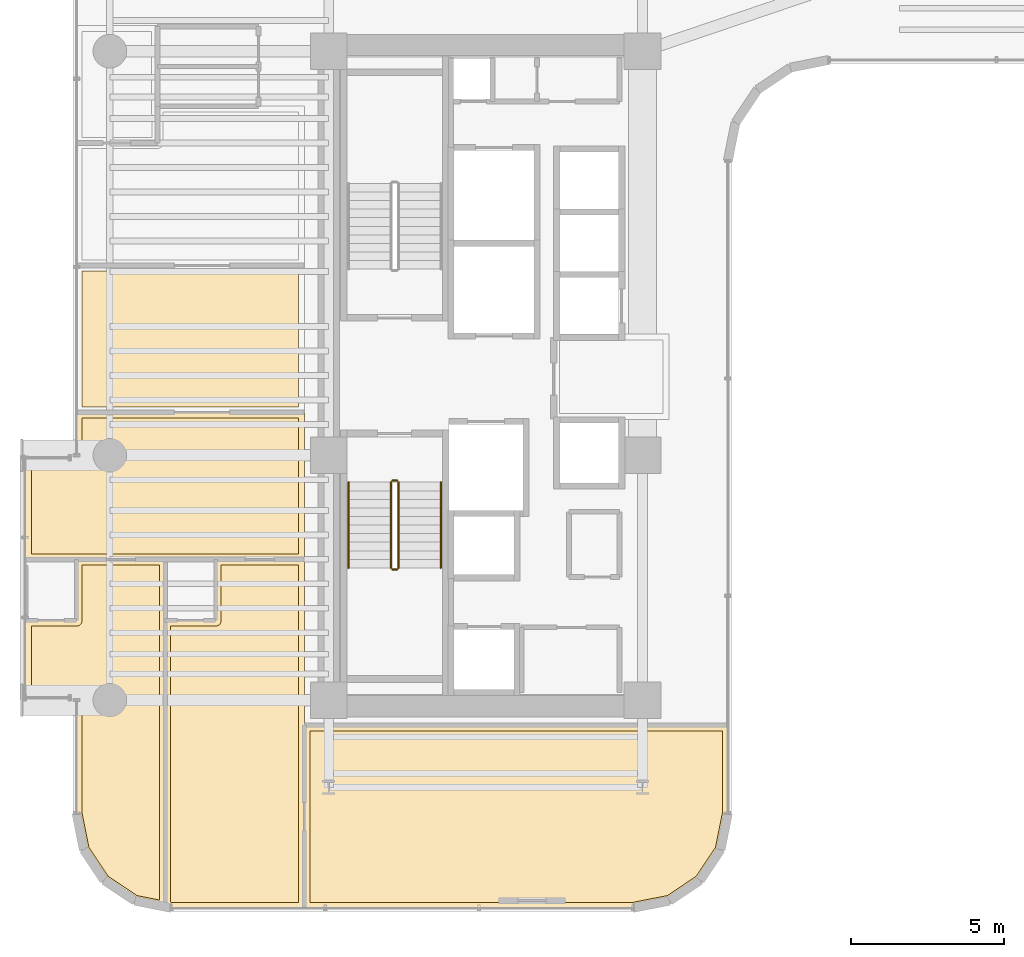
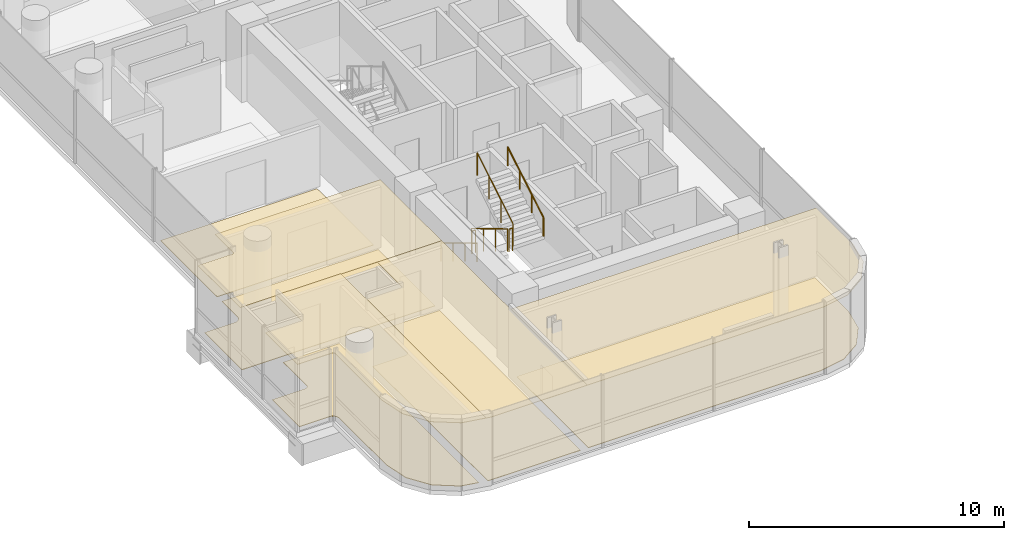
# One storey, part 33 of 37: 9 coverings, 6 railings.
"""IFC4 building model written with IfcOpenShell, lengths in metres."""

from ifc_helpers import new_model, si_unit, direction, frame, origin, origin_2d, place, context, subcontext, project, spatial, polyline, circle, outline, extrude, material, layer, layer_set, type_object, element, save


model = new_model("IFC4")

# Units and contexts
model_context = context("Model", 3, precision=1e-05, world=origin(), true_north=direction((0.0, 1.0)))
body_context = subcontext(model_context, "Body", "Model", "MODEL_VIEW")
ifc_project = project(units=[si_unit("LENGTHUNIT", "METRE"), si_unit("AREAUNIT", "SQUARE_METRE"), si_unit("VOLUMEUNIT", "CUBIC_METRE"), si_unit("PLANEANGLEUNIT", "RADIAN"), si_unit("MASSUNIT", "GRAM", prefix="KILO")], contexts=[model_context])

# Site, building, storey
site_placement = place(None, origin())
site = spatial("IfcSite", under=ifc_project, at=site_placement, CompositionType="ELEMENT")
building_placement = place(site_placement, origin())
building = spatial("IfcBuilding", under=site, at=building_placement, Name="Valdorenza Pilgrim Sanctuary Tower", CompositionType="ELEMENT")
storey_placement = place(building_placement, frame((0.0, 0.0, 135.300048828125)))
storey = spatial("IfcBuildingStorey", under=building, at=storey_placement, Name="L34", CompositionType="ELEMENT", Elevation=135.300048828125)

# Coverings
ifc_material_1 = material(Name="Micro-perforated acoustic mineral ceiling tile", Category="gypsum")
ifc_layer_1 = layer(ifc_material_1, 0.02490234375, Name="Micro-perforated acoustic mineral ceiling tile")
ifc_layer_set_1 = layer_set([ifc_layer_1], Name="Micro-perforated acoustic mineral ceiling tile")
covering_type_1 = type_object("IfcCoveringType", Name="COV-CLG-ACU", PredefinedType="CEILING", material=ifc_layer_set_1)
covering_1_placement = place(storey_placement, frame((0.0, 0.0, 3.159912109375)))
element("IfcCovering", 1, at=covering_1_placement, inside=storey, type_object=covering_type_1, Name="L34 Pilgrim Guest Room L34-CS1A Acoustic Ceiling", PredefinedType="CEILING", context=body_context, shape_type="SweptSolid", body=[
    extrude(outline(polyline([(-30.903076171875, -7.987060546875), (-30.903076171875, -6.0), (-30.90283203125, -5.99853515625), (-30.902587890625, -5.9970703125), (-30.90234375, -5.99560546875), (-30.90185546875, -5.994384765625), (-30.901123046875, -5.992919921875), (-30.900390625, -5.99169921875), (-30.899658203125, -5.990478515625), (-30.898681640625, -5.989501953125), (-30.8974609375, -5.98828125), (-30.896240234375, -5.987548828125), (-30.89501953125, -5.98681640625), (-30.893798828125, -5.986083984375), (-30.892333984375, -5.985595703125), (-30.890869140625, -5.9853515625), (-30.889404296875, -5.985107421875), (-30.887939453125, -5.985107421875), (-27.9951171875, -5.985107421875), (-27.993408203125, -5.985107421875), (-27.9921875, -5.9853515625), (-27.990478515625, -5.985595703125), (-27.9892578125, -5.986083984375), (-27.98779296875, -5.98681640625), (-27.98681640625, -5.987548828125), (-27.985595703125, -5.98828125), (-27.984375, -5.989501953125), (-27.9833984375, -5.990478515625), (-27.982421875, -5.99169921875), (-27.981689453125, -5.992919921875), (-27.981201171875, -5.994384765625), (-27.980712890625, -5.99560546875), (-27.980224609375, -5.9970703125), (-27.97998046875, -5.99853515625), (-27.97998046875, -6.0), (-27.97998046875, -17.34912109375), (-27.97998046875, -17.3505859375), (-27.980224609375, -17.35205078125), (-27.980712890625, -17.353515625), (-27.981201171875, -17.354736328125), (-27.981689453125, -17.356201171875), (-27.982421875, -17.357421875), (-27.9833984375, -17.358642578125), (-27.984375, -17.359619140625), (-27.985595703125, -17.360595703125), (-27.98681640625, -17.361572265625), (-27.98779296875, -17.3623046875), (-27.9892578125, -17.36279296875), (-27.990478515625, -17.36328125), (-27.9921875, -17.36376953125), (-27.993408203125, -17.364013671875), (-27.9951171875, -17.364013671875), (-27.99658203125, -17.364013671875), (-27.997802734375, -17.36376953125), (-28.984619140625, -17.16748046875), (-28.986083984375, -17.1669921875), (-28.9873046875, -17.16650390625), (-28.98876953125, -17.166015625), (-28.989990234375, -17.165283203125), (-29.99169921875, -16.495849609375), (-29.992919921875, -16.4951171875), (-29.993896484375, -16.493896484375), (-29.9951171875, -16.492919921875), (-29.995849609375, -16.49169921875), (-30.665283203125, -15.489990234375), (-30.666015625, -15.48876953125), (-30.66650390625, -15.4873046875), (-30.6669921875, -15.486083984375), (-30.66748046875, -15.484619140625), (-30.90478515625, -14.2919921875), (-30.90478515625, -14.29052734375), (-30.905029296875, -14.289306640625), (-30.905029296875, -10.600341796875), (-30.905517578125, -10.5908203125), (-30.90673828125, -10.58154296875), (-30.9091796875, -10.572509765625), (-30.912109375, -10.563720703125), (-30.916259765625, -10.55517578125), (-30.9208984375, -10.547119140625), (-30.926513671875, -10.539794921875), (-30.932861328125, -10.53271484375), (-30.939697265625, -10.526611328125), (-30.947265625, -10.52099609375), (-30.955078125, -10.51611328125), (-30.963623046875, -10.51220703125), (-30.972412109375, -10.509033203125), (-30.9814453125, -10.5068359375), (-30.99072265625, -10.505615234375), (-31.00048828125, -10.5048828125), (-32.5400390625, -10.5048828125), (-32.54150390625, -10.5048828125), (-32.54296875, -10.504638671875), (-32.54443359375, -10.50439453125), (-32.545654296875, -10.50390625), (-32.547119140625, -10.503173828125), (-32.54833984375, -10.50244140625), (-32.549560546875, -10.501708984375), (-32.550537109375, -10.50048828125), (-32.551513671875, -10.49951171875), (-32.552490234375, -10.498291015625), (-32.55322265625, -10.4970703125), (-32.553955078125, -10.49560546875), (-32.554443359375, -10.494384765625), (-32.5546875, -10.492919921875), (-32.554931640625, -10.491455078125), (-32.554931640625, -10.489990234375), (-32.554931640625, -8.001953125), (-32.554931640625, -8.00048828125), (-32.5546875, -7.9990234375), (-32.554443359375, -7.99755859375), (-32.553955078125, -7.996337890625), (-32.55322265625, -7.994873046875), (-32.552490234375, -7.99365234375), (-32.551513671875, -7.992431640625), (-32.550537109375, -7.991455078125), (-32.549560546875, -7.990478515625), (-32.54833984375, -7.989501953125), (-32.547119140625, -7.98876953125), (-32.545654296875, -7.988037109375), (-32.54443359375, -7.987548828125), (-32.54296875, -7.9873046875), (-32.54150390625, -7.987060546875), (-32.5400390625, -7.987060546875), (-30.903076171875, -7.987060546875)])), origin(), (0.0, 0.0, 1.0), 0.025146484375),
])
covering_2_placement = place(storey_placement, frame((0.0, 0.0, 3.159912109375)))
element("IfcCovering", 2, at=covering_2_placement, inside=storey, type_object=covering_type_1, Name="L34 Pilgrim Guest Room L34-CS1B Acoustic Ceiling", PredefinedType="CEILING", context=body_context, shape_type="SweptSolid", body=[
    extrude(outline(polyline([(-28.008056640625, -17.348388671875), (-28.008056640625, -8.001953125), (-28.0078125, -8.00048828125), (-28.0078125, -7.9990234375), (-28.00732421875, -7.99755859375), (-28.0068359375, -7.996337890625), (-28.006103515625, -7.994873046875), (-28.005615234375, -7.99365234375), (-28.004638671875, -7.992431640625), (-28.003662109375, -7.991455078125), (-28.00244140625, -7.990478515625), (-28.001220703125, -7.989501953125), (-28.0, -7.98876953125), (-27.998779296875, -7.988037109375), (-27.997314453125, -7.987548828125), (-27.995849609375, -7.9873046875), (-27.994384765625, -7.987060546875), (-27.992919921875, -7.987060546875), (-26.35791015625, -7.987060546875), (-26.35791015625, -6.0), (-26.35791015625, -5.99853515625), (-26.357666015625, -5.9970703125), (-26.357421875, -5.99560546875), (-26.35693359375, -5.994384765625), (-26.356201171875, -5.992919921875), (-26.35546875, -5.99169921875), (-26.3544921875, -5.990478515625), (-26.353515625, -5.989501953125), (-26.3525390625, -5.98828125), (-26.351318359375, -5.987548828125), (-26.35009765625, -5.98681640625), (-26.3486328125, -5.986083984375), (-26.347412109375, -5.985595703125), (-26.345947265625, -5.9853515625), (-26.344482421875, -5.985107421875), (-26.343017578125, -5.985107421875), (-23.449951171875, -5.985107421875), (-23.448486328125, -5.985107421875), (-23.447021484375, -5.9853515625), (-23.445556640625, -5.985595703125), (-23.4443359375, -5.986083984375), (-23.44287109375, -5.98681640625), (-23.441650390625, -5.987548828125), (-23.4404296875, -5.98828125), (-23.439453125, -5.989501953125), (-23.4384765625, -5.990478515625), (-23.4375, -5.99169921875), (-23.436767578125, -5.992919921875), (-23.43603515625, -5.994384765625), (-23.435546875, -5.99560546875), (-23.435302734375, -5.9970703125), (-23.43505859375, -5.99853515625), (-23.43505859375, -6.0), (-23.43505859375, -17.389892578125), (-23.43505859375, -17.3916015625), (-23.435302734375, -17.392822265625), (-23.435546875, -17.394287109375), (-23.43603515625, -17.395751953125), (-23.436767578125, -17.397216796875), (-23.4375, -17.398193359375), (-23.4384765625, -17.3994140625), (-23.439453125, -17.400634765625), (-23.4404296875, -17.401611328125), (-23.441650390625, -17.402587890625), (-23.44287109375, -17.4033203125), (-23.4443359375, -17.40380859375), (-23.445556640625, -17.404296875), (-23.447021484375, -17.40478515625), (-23.448486328125, -17.40478515625), (-23.449951171875, -17.405029296875), (-27.789306640625, -17.405029296875), (-27.79052734375, -17.40478515625), (-27.7919921875, -17.40478515625), (-27.99609375, -17.3642578125), (-27.997314453125, -17.36376953125), (-27.998779296875, -17.36328125), (-28.000244140625, -17.362548828125), (-28.00146484375, -17.36181640625), (-28.002685546875, -17.36083984375), (-28.00390625, -17.35986328125), (-28.0048828125, -17.358642578125), (-28.005615234375, -17.357421875), (-28.006591796875, -17.356201171875), (-28.007080078125, -17.354736328125), (-28.007568359375, -17.353271484375), (-28.0078125, -17.351806640625), (-28.008056640625, -17.350341796875), (-28.008056640625, -17.348876953125), (-28.008056640625, -17.348388671875)])), origin(), (0.0, 0.0, 1.0), 0.025146484375),
])
covering_3_placement = place(storey_placement, frame((0.0, 0.0, 3.159912109375)))
element("IfcCovering", 3, at=covering_3_placement, inside=storey, type_object=covering_type_1, Name="L34 South Contemplation Salon L34 Acoustic Ceiling", PredefinedType="CEILING", context=body_context, shape_type="SweptSolid", body=[
    extrude(outline(polyline([(-30.891845703125, -6.012939453125), (-32.5400390625, -6.012939453125), (-32.54150390625, -6.012939453125), (-32.54296875, -6.0126953125), (-32.54443359375, -6.012451171875), (-32.545654296875, -6.011962890625), (-32.547119140625, -6.01123046875), (-32.54833984375, -6.010498046875), (-32.549560546875, -6.009521484375), (-32.550537109375, -6.008544921875), (-32.551513671875, -6.007568359375), (-32.552490234375, -6.00634765625), (-32.55322265625, -6.005126953125), (-32.553955078125, -6.003662109375), (-32.554443359375, -6.00244140625), (-32.5546875, -6.0009765625), (-32.554931640625, -5.99951171875), (-32.554931640625, -5.998046875), (-32.554931640625, -2.7099609375), (-32.554931640625, -2.70849609375), (-32.5546875, -2.70703125), (-32.554443359375, -2.70556640625), (-32.553955078125, -2.704345703125), (-32.55322265625, -2.702880859375), (-32.552490234375, -2.70166015625), (-32.551513671875, -2.700439453125), (-32.550537109375, -2.699462890625), (-32.549560546875, -2.698486328125), (-32.54833984375, -2.697509765625), (-32.547119140625, -2.69677734375), (-32.545654296875, -2.696044921875), (-32.54443359375, -2.695556640625), (-32.54296875, -2.6953125), (-32.54150390625, -2.695068359375), (-32.5400390625, -2.695068359375), (-31.00048828125, -2.695068359375), (-30.99072265625, -2.694580078125), (-30.9814453125, -2.693115234375), (-30.972412109375, -2.69091796875), (-30.963623046875, -2.687744140625), (-30.955078125, -2.683837890625), (-30.947265625, -2.678955078125), (-30.939697265625, -2.67333984375), (-30.932861328125, -2.667236328125), (-30.926513671875, -2.660400390625), (-30.9208984375, -2.65283203125), (-30.916259765625, -2.644775390625), (-30.912109375, -2.63623046875), (-30.9091796875, -2.627685546875), (-30.90673828125, -2.618408203125), (-30.905517578125, -2.609375), (-30.905029296875, -2.599609375), (-30.905029296875, -1.199951171875), (-30.90478515625, -1.198486328125), (-30.90478515625, -1.197021484375), (-30.904296875, -1.195556640625), (-30.90380859375, -1.1943359375), (-30.9033203125, -1.19287109375), (-30.902587890625, -1.191650390625), (-30.901611328125, -1.1904296875), (-30.900634765625, -1.189453125), (-30.8994140625, -1.1884765625), (-30.898193359375, -1.1875), (-30.897216796875, -1.186767578125), (-30.895751953125, -1.18603515625), (-30.894287109375, -1.185546875), (-30.892822265625, -1.185302734375), (-30.8916015625, -1.18505859375), (-30.889892578125, -1.18505859375), (-23.449951171875, -1.18505859375), (-23.448486328125, -1.18505859375), (-23.447021484375, -1.185302734375), (-23.445556640625, -1.185546875), (-23.4443359375, -1.18603515625), (-23.44287109375, -1.186767578125), (-23.441650390625, -1.1875), (-23.4404296875, -1.1884765625), (-23.439453125, -1.189453125), (-23.4384765625, -1.1904296875), (-23.4375, -1.191650390625), (-23.436767578125, -1.19287109375), (-23.43603515625, -1.1943359375), (-23.435546875, -1.195556640625), (-23.435302734375, -1.197021484375), (-23.43505859375, -1.198486328125), (-23.43505859375, -1.199951171875), (-23.43505859375, -5.998046875), (-23.43505859375, -5.99951171875), (-23.435302734375, -6.0009765625), (-23.435546875, -6.00244140625), (-23.43603515625, -6.003662109375), (-23.436767578125, -6.005126953125), (-23.4375, -6.00634765625), (-23.4384765625, -6.007568359375), (-23.439453125, -6.008544921875), (-23.4404296875, -6.009521484375), (-23.441650390625, -6.010498046875), (-23.44287109375, -6.01123046875), (-23.4443359375, -6.011962890625), (-23.445556640625, -6.012451171875), (-23.447021484375, -6.0126953125), (-23.448486328125, -6.012939453125), (-23.449951171875, -6.012939453125), (-26.34130859375, -6.012939453125), (-26.341796875, -6.01318359375), (-26.343505859375, -6.01318359375), (-26.344970703125, -6.01318359375), (-26.346435546875, -6.01318359375), (-26.3466796875, -6.012939453125), (-27.9912109375, -6.012939453125), (-27.991943359375, -6.01318359375), (-27.993408203125, -6.01318359375), (-27.9951171875, -6.01318359375), (-27.99658203125, -6.01318359375), (-27.996826171875, -6.012939453125), (-30.88623046875, -6.012939453125), (-30.886962890625, -6.01318359375), (-30.888427734375, -6.01318359375), (-30.889892578125, -6.01318359375), (-30.8916015625, -6.01318359375), (-30.891845703125, -6.012939453125)])), origin(), (0.0, 0.0, 1.0), 0.025146484375),
])
covering_4_placement = place(storey_placement, frame((0.0, 0.0, 3.159912109375)))
element("IfcCovering", 4, at=covering_4_placement, inside=storey, type_object=covering_type_1, Name="L34 Sacred Archive Reading Library L34-S Acoustic Ceiling", PredefinedType="CEILING", context=body_context, shape_type="SweptSolid", body=[
    extrude(outline(polyline([(-9.610107421875, -11.405029296875), (-9.6083984375, -11.405029296875), (-9.607177734375, -11.4052734375), (-9.605712890625, -11.405517578125), (-9.604248046875, -11.406005859375), (-9.602783203125, -11.40673828125), (-9.601806640625, -11.407470703125), (-9.6005859375, -11.408447265625), (-9.599365234375, -11.409423828125), (-9.598388671875, -11.410400390625), (-9.597412109375, -11.41162109375), (-9.5966796875, -11.412841796875), (-9.59619140625, -11.414306640625), (-9.595703125, -11.41552734375), (-9.59521484375, -11.4169921875), (-9.59521484375, -11.41845703125), (-9.594970703125, -11.419921875), (-9.594970703125, -14.289306640625), (-9.59521484375, -14.29052734375), (-9.59521484375, -14.2919921875), (-9.83251953125, -15.484619140625), (-9.8330078125, -15.486083984375), (-9.83349609375, -15.4873046875), (-9.833984375, -15.48876953125), (-9.834716796875, -15.489990234375), (-10.504150390625, -16.49169921875), (-10.5048828125, -16.492919921875), (-10.506103515625, -16.493896484375), (-10.507080078125, -16.4951171875), (-10.50830078125, -16.495849609375), (-11.510009765625, -17.165283203125), (-11.51123046875, -17.166015625), (-11.5126953125, -17.16650390625), (-11.513916015625, -17.1669921875), (-11.515380859375, -17.16748046875), (-12.7080078125, -17.40478515625), (-12.70947265625, -17.40478515625), (-12.710693359375, -17.405029296875), (-23.447998046875, -17.405029296875), (-23.449462890625, -17.40478515625), (-23.450927734375, -17.40478515625), (-23.452392578125, -17.404296875), (-23.45361328125, -17.40380859375), (-23.455078125, -17.4033203125), (-23.456298828125, -17.402587890625), (-23.45751953125, -17.401611328125), (-23.45849609375, -17.400634765625), (-23.459716796875, -17.3994140625), (-23.46044921875, -17.398193359375), (-23.461181640625, -17.397216796875), (-23.4619140625, -17.395751953125), (-23.46240234375, -17.394287109375), (-23.462646484375, -17.392822265625), (-23.462890625, -17.3916015625), (-23.462890625, -17.389892578125), (-23.462890625, -11.419921875), (-23.462890625, -11.41845703125), (-23.462646484375, -11.4169921875), (-23.46240234375, -11.41552734375), (-23.4619140625, -11.414306640625), (-23.461181640625, -11.412841796875), (-23.46044921875, -11.41162109375), (-23.459716796875, -11.410400390625), (-23.45849609375, -11.409423828125), (-23.45751953125, -11.408447265625), (-23.456298828125, -11.407470703125), (-23.455078125, -11.40673828125), (-23.45361328125, -11.406005859375), (-23.452392578125, -11.405517578125), (-23.450927734375, -11.4052734375), (-23.449462890625, -11.405029296875), (-23.447998046875, -11.405029296875), (-9.610107421875, -11.405029296875)])), origin(), (0.0, 0.0, 1.0), 0.025146484375),
])
ifc_material_2 = material(Name="Engineered European oak timber flooring", Category="wood")
ifc_layer_2 = layer(ifc_material_2, 0.02197265625, Name="Engineered European oak timber flooring")
ifc_layer_set_2 = layer_set([ifc_layer_2], Name="Engineered European oak timber flooring")
covering_type_2 = type_object("IfcCoveringType", Name="COV-FLR-OAK", PredefinedType="FLOORING", material=ifc_layer_set_2)
covering_5_placement = place(storey_placement, origin())
element("IfcCovering", 5, at=covering_5_placement, inside=storey, type_object=covering_type_2, Name="L34 Pilgrim Guest Room L34-CS1A Flooring", PredefinedType="FLOORING", context=body_context, shape_type="SweptSolid", body=[
    extrude(outline(polyline([(-28.911376953125, -16.983154296875), (-29.853515625, -16.353515625), (-30.483154296875, -15.411376953125), (-30.7099609375, -14.271484375), (-30.7099609375, -10.60009765625), (-30.710205078125, -10.59130859375), (-30.710693359375, -10.580322265625), (-30.71240234375, -10.562744140625), (-30.714111328125, -10.552001953125), (-30.717529296875, -10.534912109375), (-30.72021484375, -10.5244140625), (-30.725341796875, -10.50732421875), (-30.72900390625, -10.497314453125), (-30.735595703125, -10.48095703125), (-30.740234375, -10.47119140625), (-30.74853515625, -10.45556640625), (-30.754150390625, -10.4462890625), (-30.763916015625, -10.431640625), (-30.7705078125, -10.423095703125), (-30.781494140625, -10.4091796875), (-30.788818359375, -10.4013671875), (-30.80126953125, -10.388916015625), (-30.809326171875, -10.381591796875), (-30.822998046875, -10.370361328125), (-30.831787109375, -10.364013671875), (-30.84619140625, -10.35400390625), (-30.855712890625, -10.3486328125), (-30.87109375, -10.34033203125), (-30.880859375, -10.335693359375), (-30.897216796875, -10.328857421875), (-30.907470703125, -10.3251953125), (-30.92431640625, -10.320068359375), (-30.934814453125, -10.3173828125), (-30.9521484375, -10.314208984375), (-30.962890625, -10.3125), (-30.98046875, -10.310791015625), (-30.9912109375, -10.310302734375), (-31.0, -10.31005859375), (-32.360107421875, -10.31005859375), (-32.360107421875, -8.181884765625), (-30.889892578125, -8.181884765625), (-30.881103515625, -8.181884765625), (-30.881103515625, -8.181884765625), (-30.86328125, -8.179931640625), (-30.86328125, -8.179931640625), (-30.845947265625, -8.176513671875), (-30.845703125, -8.176513671875), (-30.828857421875, -8.17138671875), (-30.82861328125, -8.17138671875), (-30.812255859375, -8.16455078125), (-30.81201171875, -8.16455078125), (-30.79638671875, -8.15625), (-30.79638671875, -8.156005859375), (-30.78173828125, -8.146240234375), (-30.781494140625, -8.14599609375), (-30.767822265625, -8.135009765625), (-30.767578125, -8.134765625), (-30.755126953125, -8.122314453125), (-30.755126953125, -8.1220703125), (-30.743896484375, -8.1083984375), (-30.743896484375, -8.1083984375), (-30.73388671875, -8.093505859375), (-30.73388671875, -8.093505859375), (-30.7255859375, -8.077880859375), (-30.725341796875, -8.07763671875), (-30.71875, -8.061279296875), (-30.718505859375, -8.061279296875), (-30.71337890625, -8.044189453125), (-30.71337890625, -8.044189453125), (-30.7099609375, -8.02685546875), (-30.7099609375, -8.026611328125), (-30.708251953125, -8.009033203125), (-30.708251953125, -8.0087890625), (-30.7080078125, -8.0), (-30.7080078125, -6.179931640625), (-28.175048828125, -6.179931640625), (-28.175048828125, -17.129638671875), (-28.911376953125, -16.983154296875)])), origin(), (0.0, 0.0, 1.0), 0.02490234375),
])
covering_6_placement = place(storey_placement, origin())
element("IfcCovering", 6, at=covering_6_placement, inside=storey, type_object=covering_type_2, Name="L34 Pilgrim Guest Room L34-CS1B Flooring", PredefinedType="FLOORING", context=body_context, shape_type="SweptSolid", body=[
    extrude(outline(polyline([(-27.81298828125, -17.20166015625), (-27.81298828125, -8.181884765625), (-26.344970703125, -8.181884765625), (-26.336181640625, -8.181884765625), (-26.3359375, -8.181884765625), (-26.318359375, -8.179931640625), (-26.318115234375, -8.179931640625), (-26.30078125, -8.176513671875), (-26.30078125, -8.176513671875), (-26.28369140625, -8.17138671875), (-26.28369140625, -8.17138671875), (-26.267333984375, -8.16455078125), (-26.26708984375, -8.16455078125), (-26.25146484375, -8.15625), (-26.25146484375, -8.156005859375), (-26.23681640625, -8.146240234375), (-26.236572265625, -8.14599609375), (-26.222900390625, -8.135009765625), (-26.22265625, -8.134765625), (-26.210205078125, -8.122314453125), (-26.210205078125, -8.1220703125), (-26.198974609375, -8.1083984375), (-26.19873046875, -8.1083984375), (-26.18896484375, -8.093505859375), (-26.188720703125, -8.093505859375), (-26.180419921875, -8.077880859375), (-26.180419921875, -8.07763671875), (-26.173583984375, -8.061279296875), (-26.173583984375, -8.061279296875), (-26.16845703125, -8.044189453125), (-26.16845703125, -8.044189453125), (-26.1650390625, -8.02685546875), (-26.1650390625, -8.026611328125), (-26.1630859375, -8.009033203125), (-26.1630859375, -8.0087890625), (-26.1630859375, -8.0), (-26.1630859375, -6.179931640625), (-23.6298828125, -6.179931640625), (-23.6298828125, -17.2099609375), (-27.771484375, -17.2099609375), (-27.81298828125, -17.20166015625)])), origin(), (0.0, 0.0, 1.0), 0.02490234375),
])
ifc_material_3 = material(Name="Honed travertine stone flooring", Category="masonry")
ifc_layer_3 = layer(ifc_material_3, 0.030029296875, Name="Honed travertine stone flooring")
ifc_layer_set_3 = layer_set([ifc_layer_3], Name="Honed travertine stone flooring")
covering_type_3 = type_object("IfcCoveringType", Name="COV-FLR-TRV", PredefinedType="FLOORING", material=ifc_layer_set_3)
covering_7_placement = place(storey_placement, origin())
element("IfcCovering", 7, at=covering_7_placement, inside=storey, type_object=covering_type_3, Name="L34 South Contemplation Salon L34 Flooring", PredefinedType="FLOORING", context=body_context, shape_type="SweptSolid", body=[
    extrude(outline(polyline([(-30.8896484375, -5.818115234375), (-30.889892578125, -5.818115234375), (-32.360107421875, -5.818115234375), (-32.360107421875, -2.889892578125), (-31.0, -2.889892578125), (-30.9912109375, -2.889892578125), (-30.98046875, -2.889404296875), (-30.962890625, -2.887451171875), (-30.9521484375, -2.885986328125), (-30.934814453125, -2.882568359375), (-30.92431640625, -2.8798828125), (-30.907470703125, -2.874755859375), (-30.897216796875, -2.87109375), (-30.880859375, -2.8642578125), (-30.87109375, -2.859619140625), (-30.855712890625, -2.851318359375), (-30.84619140625, -2.845947265625), (-30.831787109375, -2.8359375), (-30.822998046875, -2.82958984375), (-30.809326171875, -2.818359375), (-30.80126953125, -2.811279296875), (-30.788818359375, -2.798583984375), (-30.781494140625, -2.790771484375), (-30.7705078125, -2.777099609375), (-30.763916015625, -2.768310546875), (-30.754150390625, -2.753662109375), (-30.74853515625, -2.744384765625), (-30.740234375, -2.728759765625), (-30.735595703125, -2.718994140625), (-30.72900390625, -2.70263671875), (-30.725341796875, -2.692626953125), (-30.72021484375, -2.67578125), (-30.717529296875, -2.665283203125), (-30.714111328125, -2.64794921875), (-30.71240234375, -2.63720703125), (-30.710693359375, -2.61962890625), (-30.710205078125, -2.60888671875), (-30.7099609375, -2.60009765625), (-30.7099609375, -1.3798828125), (-23.6298828125, -1.3798828125), (-23.6298828125, -5.818115234375), (-26.343017578125, -5.818115234375), (-26.343994140625, -5.818115234375), (-26.3447265625, -5.818115234375), (-26.344970703125, -5.818115234375), (-27.992919921875, -5.818115234375), (-27.993896484375, -5.818115234375), (-27.99462890625, -5.818115234375), (-27.9951171875, -5.818115234375), (-30.887939453125, -5.818115234375), (-30.888916015625, -5.818115234375), (-30.8896484375, -5.818115234375)])), origin(), (0.0, 0.0, 1.0), 0.02490234375),
])
covering_8_placement = place(storey_placement, origin())
element("IfcCovering", 8, at=covering_8_placement, inside=storey, type_object=covering_type_3, Name="L34 Pilgrim Reading Lounge L34 Flooring", PredefinedType="FLOORING", context=body_context, shape_type="SweptSolid", body=[
    extrude(outline(polyline([(-23.6298828125, -1.01806640625), (-30.7099609375, -1.01806640625), (-30.7099609375, 3.419921875), (-23.6298828125, 3.419921875), (-23.6298828125, -1.01806640625)])), origin(), (0.0, 0.0, 1.0), 0.02490234375),
])
covering_9_placement = place(storey_placement, origin())
element("IfcCovering", 9, at=covering_9_placement, inside=storey, type_object=covering_type_3, Name="L34 Sacred Archive Reading Library L34-S Flooring", PredefinedType="FLOORING", context=body_context, shape_type="SweptSolid", body=[
    extrude(outline(polyline([(-9.7900390625, -11.60009765625), (-9.7900390625, -14.271484375), (-10.016845703125, -15.411376953125), (-10.646484375, -16.353515625), (-11.588623046875, -16.983154296875), (-12.728515625, -17.2099609375), (-23.26806640625, -17.2099609375), (-23.26806640625, -11.60009765625), (-9.7900390625, -11.60009765625)])), origin(), (0.0, 0.0, 1.0), 0.02490234375),
])

# Railings
ifc_material_4 = material(Name="Stainless steel Grade 316", Category="steel")
railing_type_1 = type_object("IfcRailingType", Name="RLG-GRD-1120", PredefinedType="GUARDRAIL", material=ifc_material_4)
railing_1_placement = place(storey_placement, frame((-20.6201171875, -3.47998046875, 0.168212890625)))
element("IfcRailing", 10, at=railing_1_placement, inside=storey, type_object=railing_type_1, Name="L34 ST-A2 stair guard 1", PredefinedType="GUARDRAIL", context=body_context, shape_type="SweptSolid", body=[
    extrude(circle(Radius=0.02392578125, at=origin_2d()), frame((0.0, 0.0, 1.076171875), z_axis=(0.0, -0.857275202839, 0.514858452973), x_axis=(1.0, 0.0, 0.0)), (0.0, 0.0, 1.0), 3.26611328125),
    extrude(circle(Radius=0.02099609375, at=origin_2d()), origin(), (0.0, 0.0, 1.0), 1.052001953125),
    extrude(circle(Radius=0.02099609375, at=origin_2d()), frame((0.0, -0.933349609375, 0.560546875)), (0.0, 0.0, 1.0), 1.052001953125),
    extrude(circle(Radius=0.02099609375, at=origin_2d()), frame((0.0, -1.86669921875, 1.12109375)), (0.0, 0.0, 1.0), 1.052001953125),
    extrude(circle(Radius=0.02099609375, at=origin_2d()), frame((0.0, -2.800048828125, 1.681640625)), (0.0, 0.0, 1.0), 1.052001953125),
])
railing_2_placement = place(storey_placement, frame((-20.570068359375, -6.330078125, 1.849853515625)))
element("IfcRailing", 11, at=railing_2_placement, inside=storey, type_object=railing_type_1, Name="L34 ST-A2 stair guard 2", PredefinedType="GUARDRAIL", context=body_context, shape_type="SweptSolid", body=[
    extrude(circle(Radius=0.02392578125, at=origin_2d()), frame((0.0, 0.0, 1.076171875), z_axis=(1.0, 0.0, 0.0), x_axis=(0.0, 1.0, 0.0)), (0.0, 0.0, 1.0), 0.150146484375),
    extrude(circle(Radius=0.02099609375, at=origin_2d()), origin(), (0.0, 0.0, 1.0), 1.052001953125),
    extrude(circle(Radius=0.02099609375, at=origin_2d()), frame((0.150146484375, 0.0, 0.0)), (0.0, 0.0, 1.0), 1.052001953125),
])
railing_3_placement = place(storey_placement, frame((-20.3701171875, -6.280029296875, 2.01806640625)))
element("IfcRailing", 12, at=railing_3_placement, inside=storey, type_object=railing_type_1, Name="L34 ST-A2 stair guard 3", PredefinedType="GUARDRAIL", context=body_context, shape_type="SweptSolid", body=[
    extrude(circle(Radius=0.02392578125, at=origin_2d()), frame((0.0, 0.0, 1.076171875), z_axis=(0.0, 0.857242210791, 0.514913383045), x_axis=(-1.0, 0.0, 0.0)), (0.0, 0.0, 1.0), 3.266357421875),
    extrude(circle(Radius=0.02099609375, at=origin_2d()), origin(), (0.0, 0.0, 1.0), 1.052001953125),
    extrude(circle(Radius=0.02099609375, at=origin_2d()), frame((0.0, 0.933349609375, 0.560546875)), (0.0, 0.0, 1.0), 1.052001953125),
    extrude(circle(Radius=0.02099609375, at=origin_2d()), frame((0.0, 1.86669921875, 1.121337890625)), (0.0, 0.0, 1.0), 1.052001953125),
    extrude(circle(Radius=0.02099609375, at=origin_2d()), frame((0.0, 2.800048828125, 1.681884765625)), (0.0, 0.0, 1.0), 1.052001953125),
])
railing_4_placement = place(storey_placement, frame((-20.570068359375, -3.429931640625, 0.0)))
element("IfcRailing", 13, at=railing_4_placement, inside=storey, type_object=railing_type_1, Name="L34 ST-A2 stair guard 4", PredefinedType="GUARDRAIL", context=body_context, shape_type="SweptSolid", body=[
    extrude(circle(Radius=0.02392578125, at=origin_2d()), frame((0.0, 0.0, 1.076171875), z_axis=(1.0, 0.0, 0.0), x_axis=(0.0, 1.0, 0.0)), (0.0, 0.0, 1.0), 0.150146484375),
    extrude(circle(Radius=0.02099609375, at=origin_2d()), origin(), (0.0, 0.0, 1.0), 1.052001953125),
    extrude(circle(Radius=0.02099609375, at=origin_2d()), frame((0.150146484375, 0.0, 0.0)), (0.0, 0.0, 1.0), 1.052001953125),
])
ifc_material_5 = material(Name="Brushed stainless steel Grade 316", Category="steel")
railing_type_2 = type_object("IfcRailingType", Name="RLG-HND-920", PredefinedType="HANDRAIL", material=ifc_material_5)
railing_5_placement = place(storey_placement, frame((-22.0, -3.47998046875, 0.168212890625)))
element("IfcRailing", 14, at=railing_5_placement, inside=storey, type_object=railing_type_2, Name="L34 ST-A2 stair handrail 1", PredefinedType="HANDRAIL", context=body_context, shape_type="SweptSolid", body=[
    extrude(circle(Radius=0.02392578125, at=origin_2d()), frame((0.0, 0.0, 0.8759765625), z_axis=(0.0, -0.857275202839, 0.514858452973), x_axis=(1.0, 0.0, 0.0)), (0.0, 0.0, 1.0), 3.26611328125),
    extrude(circle(Radius=0.02099609375, at=origin_2d()), origin(), (0.0, 0.0, 1.0), 0.851806640625),
    extrude(circle(Radius=0.02099609375, at=origin_2d()), frame((0.0, -0.933349609375, 0.560546875)), (0.0, 0.0, 1.0), 0.851806640625),
    extrude(circle(Radius=0.02099609375, at=origin_2d()), frame((0.0, -1.86669921875, 1.12109375)), (0.0, 0.0, 1.0), 0.851806640625),
    extrude(circle(Radius=0.02099609375, at=origin_2d()), frame((0.0, -2.800048828125, 1.681640625)), (0.0, 0.0, 1.0), 0.851806640625),
])
railing_6_placement = place(storey_placement, frame((-18.989990234375, -6.280029296875, 2.01806640625)))
element("IfcRailing", 15, at=railing_6_placement, inside=storey, type_object=railing_type_2, Name="L34 ST-A2 stair handrail 2", PredefinedType="HANDRAIL", context=body_context, shape_type="SweptSolid", body=[
    extrude(circle(Radius=0.02392578125, at=origin_2d()), frame((0.0, 0.0, 0.8759765625), z_axis=(0.0, 0.857242210791, 0.514913383045), x_axis=(-1.0, 0.0, 0.0)), (0.0, 0.0, 1.0), 3.266357421875),
    extrude(circle(Radius=0.02099609375, at=origin_2d()), origin(), (0.0, 0.0, 1.0), 0.851806640625),
    extrude(circle(Radius=0.02099609375, at=origin_2d()), frame((0.0, 0.933349609375, 0.560546875)), (0.0, 0.0, 1.0), 0.851806640625),
    extrude(circle(Radius=0.02099609375, at=origin_2d()), frame((0.0, 1.86669921875, 1.121337890625)), (0.0, 0.0, 1.0), 0.851806640625),
    extrude(circle(Radius=0.02099609375, at=origin_2d()), frame((0.0, 2.800048828125, 1.681884765625)), (0.0, 0.0, 1.0), 0.851806640625),
])

save(model, "model.ifc")
